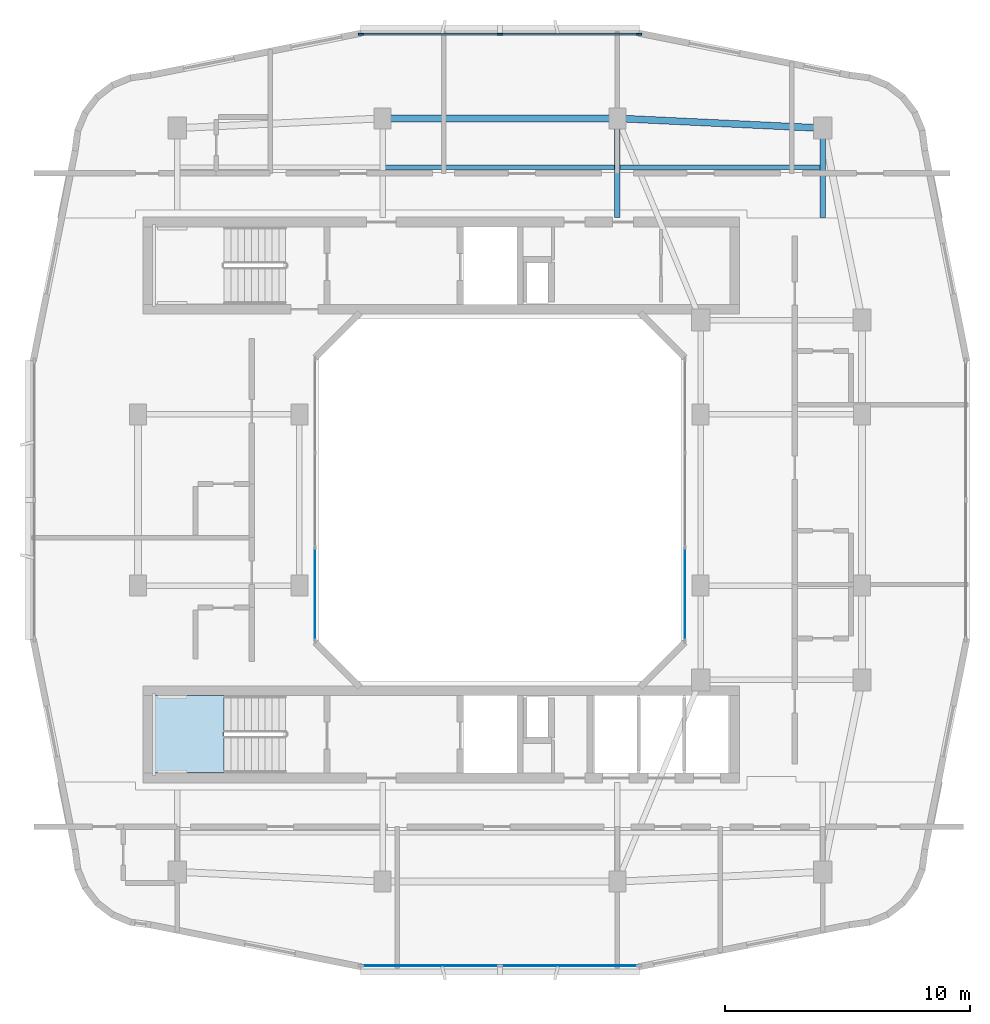
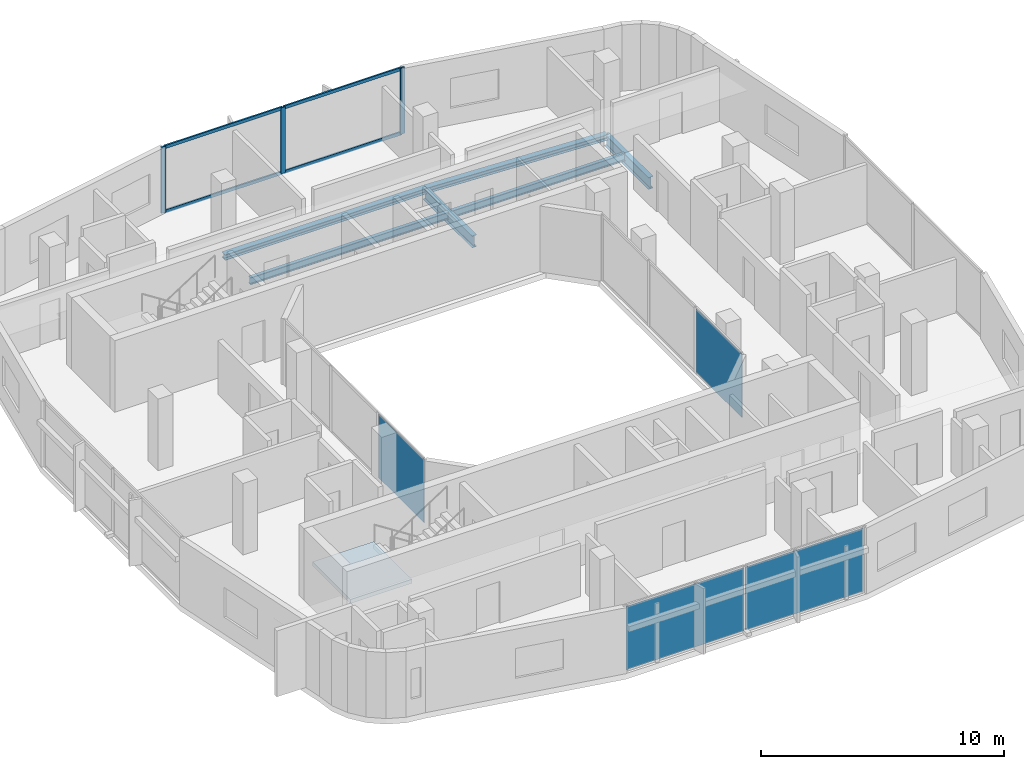
# One storey, part 5 of 14: 7 members, 6 beams, 4 plates, 1 slab, 5 elements without a shape of their own.
"""IFC4 building model written with IfcOpenShell, lengths in metres."""

from ifc_helpers import new_model, si_unit, derived_unit, direction, frame, origin, origin_2d, place, context, subcontext, project, spatial, polyline, rectangle, i_section, outline, extrude, material, layer, layer_set, material_profile, profile_set, type_object, element, aggregate, save


model = new_model("IFC4")

# Units and contexts
model_context = context("Model", 3, precision=1e-05, world=origin(), true_north=direction((0.0, 1.0)))
body_context = subcontext(model_context, "Body", "Model", "MODEL_VIEW")
ifc_project = project(units=[si_unit("LENGTHUNIT", "METRE"), si_unit("AREAUNIT", "SQUARE_METRE"), si_unit("VOLUMEUNIT", "CUBIC_METRE"), si_unit("PLANEANGLEUNIT", "RADIAN"), si_unit("MASSUNIT", "GRAM", prefix="KILO"), derived_unit("THERMALTRANSMITTANCEUNIT", [(si_unit("POWERUNIT", "WATT"), 1), (si_unit("LENGTHUNIT", "METRE"), -2), (si_unit("THERMODYNAMICTEMPERATUREUNIT", "KELVIN"), -1)])], contexts=[model_context])

# Site, building, storey
site_placement = place(None, origin())
site = spatial("IfcSite", under=ifc_project, at=site_placement, CompositionType="ELEMENT")
building_placement = place(site_placement, origin())
building = spatial("IfcBuilding", under=site, at=building_placement, Name="Kivonza Crest Hotel", CompositionType="ELEMENT")
storey_placement = place(building_placement, frame((0.0, 0.0, 213.5)))
storey = spatial("IfcBuildingStorey", under=building, at=storey_placement, Name="L58", CompositionType="ELEMENT", Elevation=213.5)

# Beams
ifc_material_1 = material(Name="Steel S355", Category="steel")
ifc_material_profile_1 = material_profile(ifc_material_1, i_section(OverallWidth=0.280029296875, OverallDepth=0.280029296875, WebThickness=0.010498046875, FlangeThickness=0.01806640625, FilletRadius=0.02392578125, at=origin_2d()), Name="HEB 280")
ifc_profile_set_1 = profile_set([ifc_material_profile_1], Name="Steel S355")
beam_type_1 = type_object("IfcBeamType", Name="BM-HEB280", PredefinedType="SPANDREL", material=ifc_profile_set_1)
beam_1_placement = place(storey_placement, frame((34.199951171875, 40.199951171875, -0.419921875), z_axis=(-0.998867283688, 0.047583080799, 0.0), x_axis=(-0.047583080799, -0.998867283688, 0.0)))
element("IfcBeam", 1, at=beam_1_placement, inside=storey, type_object=beam_type_1, Name="Tower T1 L58 perimeter spandrel NE-N2", PredefinedType="SPANDREL", context=body_context, shape_type="SweptSolid", body=[
    extrude(i_section(OverallWidth=0.280029296875, OverallDepth=0.280029296875, WebThickness=0.010498046875, FlangeThickness=0.01806640625, FilletRadius=0.02392578125, at=origin_2d()), origin(), (0.0, 0.0, 1.0), 8.409423828125),
])
beam_2_placement = place(storey_placement, frame((25.800048828125, 40.60009765625, -0.419921875), z_axis=(-1.0, 0.0, 0.0), x_axis=(0.0, -1.0, 0.0)))
element("IfcBeam", 2, at=beam_2_placement, inside=storey, type_object=beam_type_1, Name="Tower T1 L58 perimeter spandrel N2-N1", PredefinedType="SPANDREL", context=body_context, shape_type="SweptSolid", body=[
    extrude(i_section(OverallWidth=0.280029296875, OverallDepth=0.280029296875, WebThickness=0.010498046875, FlangeThickness=0.01806640625, FilletRadius=0.02392578125, at=origin_2d()), origin(), (0.0, 0.0, 1.0), 9.60009765625),
])
ifc_material_profile_2 = material_profile(ifc_material_1, i_section(OverallWidth=0.169921875, OverallDepth=0.360107421875, WebThickness=0.008056640625, FlangeThickness=0.0126953125, FilletRadius=0.01806640625, at=origin_2d()), Name="IPE 360")
ifc_profile_set_2 = profile_set([ifc_material_profile_2], Name="Steel S355")
beam_type_2 = type_object("IfcBeamType", Name="BM-IPE360", PredefinedType="JOIST", material=ifc_profile_set_2)
beam_3_placement = place(storey_placement, frame((16.280029296875, 38.60009765625, -0.4599609375), z_axis=(1.0, 0.0, 0.0), x_axis=(0.0, 1.0, 0.0)))
element("IfcBeam", 3, at=beam_3_placement, inside=storey, type_object=beam_type_2, Name="Tower T1 L58 North-Mid floor joist", PredefinedType="JOIST", context=body_context, shape_type="SweptSolid", body=[
    extrude(i_section(OverallWidth=0.169921875, OverallDepth=0.360107421875, WebThickness=0.008056640625, FlangeThickness=0.0126953125, FilletRadius=0.01806640625, at=origin_2d()), origin(), (0.0, 0.0, 1.0), 9.43994140625),
])
beam_4_placement = place(storey_placement, frame((25.8798828125, 38.60009765625, -0.4599609375), z_axis=(1.0, 0.0, 0.0), x_axis=(0.0, 1.0, 0.0)))
element("IfcBeam", 4, at=beam_4_placement, inside=storey, type_object=beam_type_2, Name="Tower T1 L58 North-East floor joist", PredefinedType="JOIST", context=body_context, shape_type="SweptSolid", body=[
    extrude(i_section(OverallWidth=0.169921875, OverallDepth=0.360107421875, WebThickness=0.008056640625, FlangeThickness=0.0126953125, FilletRadius=0.01806640625, at=origin_2d()), origin(), (0.0, 0.0, 1.0), 8.240234375),
])
ifc_material_profile_3 = material_profile(ifc_material_1, i_section(OverallWidth=0.219970703125, OverallDepth=0.60009765625, WebThickness=0.011962890625, FlangeThickness=0.01904296875, FilletRadius=0.02392578125, at=origin_2d()), Name="IPE 600")
ifc_profile_set_3 = profile_set([ifc_material_profile_3], Name="Steel S355")
beam_type_3 = type_object("IfcBeamType", Name="BM-IPE600", PredefinedType="BEAM", material=ifc_profile_set_3)
beam_5_placement = place(storey_placement, frame((25.800048828125, 40.60009765625, -0.580078125), z_axis=(0.0, -1.0, 0.0), x_axis=(1.0, 0.0, 0.0)))
element("IfcBeam", 5, at=beam_5_placement, inside=storey, type_object=beam_type_3, Name="Tower T1 L58 radial core girder RN2", PredefinedType="BEAM", context=body_context, shape_type="SweptSolid", body=[
    extrude(i_section(OverallWidth=0.219970703125, OverallDepth=0.60009765625, WebThickness=0.011962890625, FlangeThickness=0.01904296875, FilletRadius=0.02392578125, at=origin_2d()), origin(), (0.0, 0.0, 1.0), 4.050048828125),
])
beam_6_placement = place(storey_placement, frame((34.199951171875, 40.199951171875, -0.580078125), z_axis=(0.0, -1.0, 0.0), x_axis=(1.0, 0.0, 0.0)))
element("IfcBeam", 6, at=beam_6_placement, inside=storey, type_object=beam_type_3, Name="Tower T1 L58 radial core girder RNE", PredefinedType="BEAM", context=body_context, shape_type="SweptSolid", body=[
    extrude(i_section(OverallWidth=0.219970703125, OverallDepth=0.60009765625, WebThickness=0.011962890625, FlangeThickness=0.01904296875, FilletRadius=0.02392578125, at=origin_2d()), origin(), (0.0, 0.0, 1.0), 3.64990234375),
])

# Curtain wall, members
ifc_material_2 = material(Name="Anodised bronze aluminium and low-E double glazing", Category="aluminium")
ifc_layer_1 = layer(ifc_material_2, 0.179931640625)
ifc_layer_set_1 = layer_set([ifc_layer_1], Name="Anodised bronze aluminium and low-E double glazing")
curtain_wall_type_1 = type_object("IfcCurtainWallType", Name="CW-SYS-3", PredefinedType="NOTDEFINED", material=ifc_layer_set_1)
curtain_wall_1_placement = place(storey_placement, origin())
curtain_wall_1 = element("IfcCurtainWall", 7, at=curtain_wall_1_placement, inside=storey, type_object=curtain_wall_type_1, Name="L58 unitised curtain wall CW-T1-L58-26", PredefinedType="NOTDEFINED")
ifc_material_3 = material(Name="Anodised bronze aluminium", Category="aluminium")
ifc_material_profile_4 = material_profile(ifc_material_3, rectangle(XDim=0.074951171875, YDim=0.219970703125, at=origin_2d()), Name="CW-M 75x220")
ifc_profile_set_4 = profile_set([ifc_material_profile_4], Name="Anodised bronze aluminium")
member_type_1 = type_object("IfcMemberType", Name="CW-MUL-75x220", PredefinedType="MULLION", material=ifc_profile_set_4)
member_1_placement = place(storey_placement, frame((26.6826171875, 44.0400390625, 0.0), z_axis=(0.0, 0.0, 1.0), x_axis=(0.0, -1.0, 0.0)))
member_1 = element("IfcMember", 8, at=member_1_placement, type_object=member_type_1, Name="CW-3 mullion 1", PredefinedType="MULLION", context=body_context, shape_type="SweptSolid", body=[
    extrude(rectangle(XDim=0.074951171875, YDim=0.219970703125, at=origin_2d()), origin(), (0.0, 0.0, 1.0), 3.320068359375),
])
member_2_placement = place(storey_placement, frame((21.0, 44.0400390625, 0.0), z_axis=(0.0, 0.0, 1.0), x_axis=(0.0, -1.0, 0.0)))
member_2 = element("IfcMember", 9, at=member_2_placement, type_object=member_type_1, Name="CW-3 mullion 2", PredefinedType="MULLION", context=body_context, shape_type="SweptSolid", body=[
    extrude(rectangle(XDim=0.074951171875, YDim=0.219970703125, at=origin_2d()), origin(), (0.0, 0.0, 1.0), 3.320068359375),
])
member_3_placement = place(storey_placement, frame((15.3173828125, 44.0400390625, 0.0), z_axis=(0.0, 0.0, 1.0), x_axis=(0.0, -1.0, 0.0)))
member_3 = element("IfcMember", 10, at=member_3_placement, type_object=member_type_1, Name="CW-3 mullion 3", PredefinedType="MULLION", context=body_context, shape_type="SweptSolid", body=[
    extrude(rectangle(XDim=0.074951171875, YDim=0.219970703125, at=origin_2d()), origin(), (0.0, 0.0, 1.0), 3.320068359375),
])
ifc_material_profile_5 = material_profile(ifc_material_3, rectangle(XDim=0.074951171875, YDim=0.159912109375, at=origin_2d()), Name="CW-T 75x160")
ifc_profile_set_5 = profile_set([ifc_material_profile_5], Name="Anodised bronze aluminium")
member_type_2 = type_object("IfcMemberType", Name="CW-TRN-75x160", PredefinedType="USERDEFINED", material=ifc_profile_set_5)
member_4_placement = place(storey_placement, frame((26.64501953125, 44.0400390625, 0.03759765625), z_axis=(-1.0, 0.0, 0.0), x_axis=(0.0, -1.0, 0.0)))
member_4 = element("IfcMember", 11, at=member_4_placement, type_object=member_type_2, Name="CW-3 transom 1.1", ObjectType="TRANSOM", PredefinedType="USERDEFINED", context=body_context, shape_type="SweptSolid", body=[
    extrude(rectangle(XDim=0.074951171875, YDim=0.159912109375, at=origin_2d()), origin(), (0.0, 0.0, 1.0), 5.607421875),
])
member_5_placement = place(storey_placement, frame((26.64501953125, 44.0400390625, 3.282470703125), z_axis=(-1.0, 0.0, 0.0), x_axis=(0.0, -1.0, 0.0)))
member_5 = element("IfcMember", 12, at=member_5_placement, type_object=member_type_2, Name="CW-3 transom 1.2", ObjectType="TRANSOM", PredefinedType="USERDEFINED", context=body_context, shape_type="SweptSolid", body=[
    extrude(rectangle(XDim=0.074951171875, YDim=0.159912109375, at=origin_2d()), origin(), (0.0, 0.0, 1.0), 5.607421875),
])
member_6_placement = place(storey_placement, frame((20.96240234375, 44.0400390625, 0.03759765625), z_axis=(-1.0, 0.0, 0.0), x_axis=(0.0, -1.0, 0.0)))
member_6 = element("IfcMember", 13, at=member_6_placement, type_object=member_type_2, Name="CW-3 transom 2.1", ObjectType="TRANSOM", PredefinedType="USERDEFINED", context=body_context, shape_type="SweptSolid", body=[
    extrude(rectangle(XDim=0.074951171875, YDim=0.159912109375, at=origin_2d()), origin(), (0.0, 0.0, 1.0), 5.607421875),
])
member_7_placement = place(storey_placement, frame((20.96240234375, 44.0400390625, 3.282470703125), z_axis=(-1.0, 0.0, 0.0), x_axis=(0.0, -1.0, 0.0)))
member_7 = element("IfcMember", 14, at=member_7_placement, type_object=member_type_2, Name="CW-3 transom 2.2", ObjectType="TRANSOM", PredefinedType="USERDEFINED", context=body_context, shape_type="SweptSolid", body=[
    extrude(rectangle(XDim=0.074951171875, YDim=0.159912109375, at=origin_2d()), origin(), (0.0, 0.0, 1.0), 5.607421875),
])
aggregate(curtain_wall_1, [member_1, member_2, member_3, member_4, member_5, member_6, member_7])

# Curtain wall, plate
ifc_layer_2 = layer(ifc_material_2, 0.159912109375)
ifc_layer_set_2 = layer_set([ifc_layer_2], Name="Anodised bronze aluminium and low-E double glazing")
curtain_wall_type_2 = type_object("IfcCurtainWallType", Name="CW-SYS-5", PredefinedType="NOTDEFINED", material=ifc_layer_set_2)
curtain_wall_2_placement = place(storey_placement, origin())
curtain_wall_2 = element("IfcCurtainWall", 15, at=curtain_wall_2_placement, inside=storey, type_object=curtain_wall_type_2, Name="L58 unitised curtain wall CW-WELL-T1-L58-3", PredefinedType="NOTDEFINED")
ifc_material_4 = material(Name="Solar-control low-E double glazing", Category="glass")
ifc_layer_3 = layer(ifc_material_4, 0.028076171875)
ifc_layer_set_3 = layer_set([ifc_layer_3], Name="Solar-control low-E double glazing")
plate_type_1 = type_object("IfcPlateType", Name="CW-PNL-28", PredefinedType="CURTAIN_PANEL", material=ifc_layer_set_3)
plate_1_placement = place(storey_placement, frame((28.56005859375, 21.149658203125, 0.06494140625), z_axis=(0.0, 0.0, 1.0), x_axis=(0.0, 1.0, 0.0)))
plate_1 = element("IfcPlate", 16, at=plate_1_placement, type_object=plate_type_1, Name="CW-5 panel 1.1", PredefinedType="CURTAIN_PANEL", context=body_context, shape_type="SweptSolid", body=[
    extrude(rectangle(XDim=3.769287109375, YDim=0.028076171875, at=origin_2d()), origin(), (0.0, 0.0, 1.0), 3.18994140625),
])
aggregate(curtain_wall_2, [plate_1])

curtain_wall_3_placement = place(storey_placement, origin())
curtain_wall_3 = element("IfcCurtainWall", 17, at=curtain_wall_3_placement, inside=storey, type_object=curtain_wall_type_2, Name="L58 unitised curtain wall CW-WELL-T1-L58-7", PredefinedType="NOTDEFINED")
plate_2_placement = place(storey_placement, frame((13.43994140625, 21.149658203125, 0.06494140625), z_axis=(0.0, 0.0, 1.0), x_axis=(0.0, -1.0, 0.0)))
plate_2 = element("IfcPlate", 18, at=plate_2_placement, type_object=plate_type_1, Name="CW-5 panel 3.1", PredefinedType="CURTAIN_PANEL", context=body_context, shape_type="SweptSolid", body=[
    extrude(rectangle(XDim=3.769287109375, YDim=0.028076171875, at=origin_2d()), origin(), (0.0, 0.0, 1.0), 3.18994140625),
])
aggregate(curtain_wall_3, [plate_2])

# Curtain wall, plates
curtain_wall_4_placement = place(storey_placement, origin())
curtain_wall_4 = element("IfcCurtainWall", 19, at=curtain_wall_4_placement, inside=storey, type_object=curtain_wall_type_1, Name="L58 unitised curtain wall CW-T1-L58-08", PredefinedType="NOTDEFINED")
ifc_material_5 = material(Name="Acoustic triple-laminated low-E glazing", Category="glass")
ifc_layer_4 = layer(ifc_material_5, 0.035888671875)
ifc_layer_set_4 = layer_set([ifc_layer_4], Name="Acoustic triple-laminated low-E glazing")
plate_type_2 = type_object("IfcPlateType", Name="CW-PNL-36", PredefinedType="CURTAIN_PANEL", material=ifc_layer_set_4)
plate_3_placement = place(storey_placement, frame((18.15869140625, 5.9599609375, 0.074951171875), z_axis=(0.0, 0.0, 1.0), x_axis=(1.0, 0.0, 0.0)))
plate_3 = element("IfcPlate", 20, at=plate_3_placement, type_object=plate_type_2, Name="CW-3 panel 1.1", PredefinedType="CURTAIN_PANEL", context=body_context, shape_type="SweptSolid", body=[
    extrude(rectangle(XDim=5.607421875, YDim=0.035888671875, at=origin_2d()), origin(), (0.0, 0.0, 1.0), 3.169921875),
])
plate_4_placement = place(storey_placement, frame((23.84130859375, 5.9599609375, 0.074951171875), z_axis=(0.0, 0.0, 1.0), x_axis=(1.0, 0.0, 0.0)))
plate_4 = element("IfcPlate", 21, at=plate_4_placement, type_object=plate_type_2, Name="CW-3 panel 2.1", PredefinedType="CURTAIN_PANEL", context=body_context, shape_type="SweptSolid", body=[
    extrude(rectangle(XDim=5.607421875, YDim=0.035888671875, at=origin_2d()), origin(), (0.0, 0.0, 1.0), 3.169921875),
])
aggregate(curtain_wall_4, [plate_3, plate_4])

# Stair, slab
ifc_material_6 = material(Name="Concrete C40/50", Category="concrete")
stair_type = type_object("IfcStairType", Name="ST-DL-20R", PredefinedType="HALF_TURN_STAIR", material=ifc_material_6)
stair_placement = place(storey_placement, origin())
stair = element("IfcStair", 22, at=stair_placement, inside=storey, type_object=stair_type, Name="L58 Protected Exit Stair ST-T1-S", PredefinedType="HALF_TURN_STAIR")
ifc_layer_5 = layer(ifc_material_6, 0.199951171875)
ifc_layer_set_5 = layer_set([ifc_layer_5], Name="Concrete C40/50")
slab_type = type_object("IfcSlabType", Name="SL-LAND-200", PredefinedType="LANDING", material=ifc_layer_set_5)
slab_placement = place(storey_placement, frame((0.0, 0.0, 1.60009765625)))
slab = element("IfcSlab", 23, at=slab_placement, type_object=slab_type, Name="ST-T1-S landing 1", PredefinedType="LANDING", context=body_context, shape_type="SweptSolid", body=[
    extrude(outline(polyline([(9.719970703125, 17.0), (6.800048828125, 17.0), (6.800048828125, 13.860107421875), (9.719970703125, 13.860107421875), (9.719970703125, 17.0)])), origin(), (0.0, 0.0, 1.0), 0.199951171875),
])
aggregate(stair, [slab])

save(model, "model.ifc")
